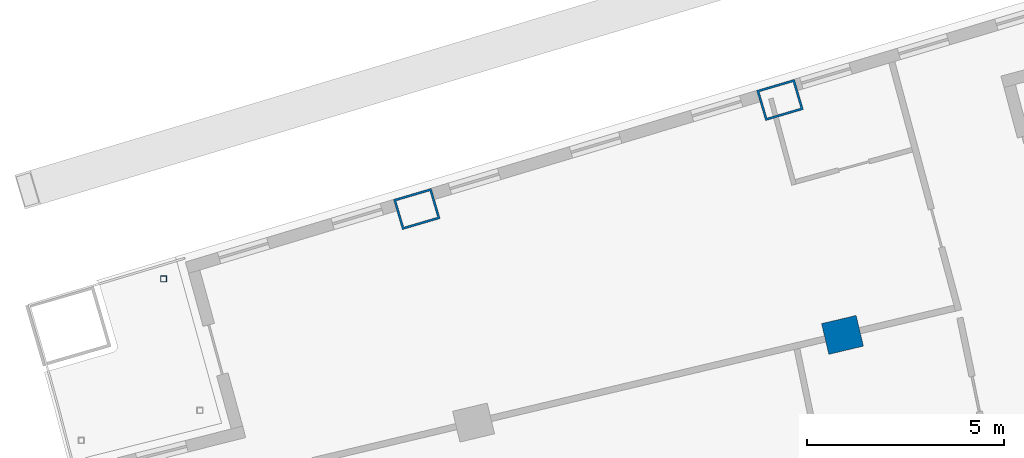
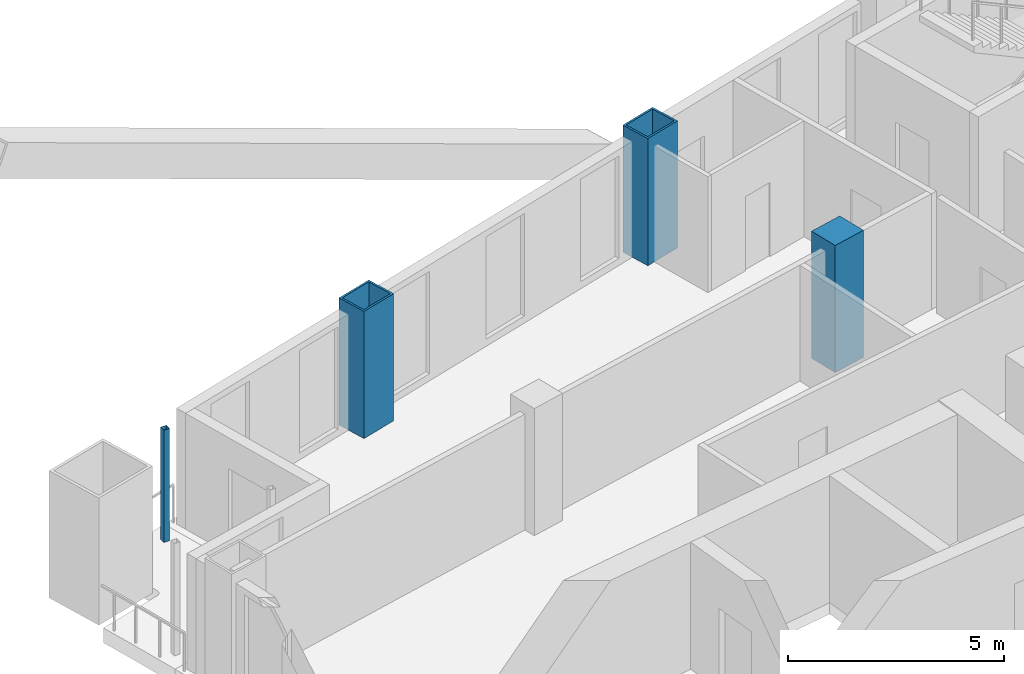
# One storey, part 7 of 19: 4 columns.
"""IFC4 building model written with IfcOpenShell, lengths in metres."""

from ifc_helpers import new_model, si_unit, direction, frame, origin, origin_2d, place, context, subcontext, project, spatial, rectangle, hollow_rectangle, extrude, material, material_profile, profile_set, type_object, element, save


model = new_model("IFC4")

# Units and contexts
model_context = context("Model", 3, precision=1e-05, world=origin(), true_north=direction((0.0, 1.0)))
body_context = subcontext(model_context, "Body", "Model", "MODEL_VIEW")
ifc_project = project(units=[si_unit("LENGTHUNIT", "METRE"), si_unit("AREAUNIT", "SQUARE_METRE"), si_unit("VOLUMEUNIT", "CUBIC_METRE"), si_unit("PLANEANGLEUNIT", "RADIAN"), si_unit("MASSUNIT", "GRAM", prefix="KILO")], contexts=[model_context])

# Site, building, storey
site_placement = place(None, origin())
site = spatial("IfcSite", under=ifc_project, at=site_placement, CompositionType="ELEMENT")
building_placement = place(site_placement, origin())
building = spatial("IfcBuilding", under=site, at=building_placement, Name="Alderwake Tower", CompositionType="ELEMENT")
storey_placement = place(building_placement, frame((0.0, 0.0, 171.199951171875)))
storey = spatial("IfcBuildingStorey", under=building, at=storey_placement, Name="L42", CompositionType="ELEMENT", Elevation=171.199951171875)

# Columns
ifc_material_1 = material(Name="Steel ASTM A572 Grade 50 concrete filled C70/85", Category="concrete")
ifc_material_profile_1 = material_profile(ifc_material_1, hollow_rectangle(XDim=0.800048828125, YDim=1.0, WallThickness=0.054931640625, at=origin_2d()), Name="BOX 1000X800X55")
ifc_profile_set_1 = profile_set([ifc_material_profile_1], Name="Steel ASTM A572 Grade 50 concrete filled C70/85")
column_type_1 = type_object("IfcColumnType", Name="End column Z3", PredefinedType="COLUMN", material=ifc_profile_set_1)
for number, where, z_axis, x_axis, name in (
    (1, (21.885498046875, 90.96240234375, 0.0), (0.0, 0.0, 1.0), (-0.282132160283, 0.95937554906, 0.0), "Column R12-C1"),
    (2, (31.080322265625, 93.72314453125, 0.0), (0.0, 0.0, 1.0), (-0.282582549822, 0.959242984095, 0.0), "Column R12-C2"),
):
    element("IfcColumn", number, at=place(storey_placement, frame(where, z_axis=z_axis, x_axis=x_axis)), inside=storey, type_object=column_type_1, Name=name, PredefinedType="COLUMN", context=body_context, shape_type="SweptSolid", body=[
        extrude(hollow_rectangle(XDim=0.800048828125, YDim=1.0, WallThickness=0.054931640625, at=origin_2d()), origin(), (0.0, 0.0, 1.0), 3.60009765625),
    ])
ifc_material_2 = material(Name="Concrete C70/85", Category="concrete")
ifc_material_profile_2 = material_profile(ifc_material_2, rectangle(XDim=0.800048828125, YDim=0.89990234375, at=origin_2d()), Name="RC 900X800")
ifc_profile_set_2 = profile_set([ifc_material_profile_2], Name="Concrete C70/85")
column_type_2 = type_object("IfcColumnType", Name="Interior column Z3", PredefinedType="COLUMN", material=ifc_profile_set_2)
column_1_placement = place(storey_placement, frame((32.661865234375, 87.775390625, 0.0), z_axis=(0.0, 0.0, 1.0), x_axis=(-0.231221547198, 0.972901123502, 0.0)))
element("IfcColumn", 3, at=column_1_placement, inside=storey, type_object=column_type_2, Name="Column R11-C2", PredefinedType="COLUMN", context=body_context, shape_type="SweptSolid", body=[
    extrude(rectangle(XDim=0.800048828125, YDim=0.89990234375, at=origin_2d()), origin(), (0.0, 0.0, 1.0), 3.60009765625),
])
ifc_material_3 = material(Name="Steel ASTM A500 Grade C", Category="steel")
ifc_material_profile_3 = material_profile(ifc_material_3, hollow_rectangle(XDim=0.15234375, YDim=0.15234375, WallThickness=0.0087890625, at=origin_2d()), Name="HSS6X6X3/8")
ifc_profile_set_3 = profile_set([ifc_material_profile_3], Name="Steel ASTM A500 Grade C")
column_type_3 = type_object("IfcColumnType", Name="Light post HSS6X6X3/8", PredefinedType="COLUMN", material=ifc_profile_set_3)
column_2_placement = place(storey_placement, frame((15.47412109375, 89.194091796875, 0.0), z_axis=(0.0, 0.0, 1.0), x_axis=(1.0, 0.0, 0.0)))
element("IfcColumn", 4, at=column_2_placement, inside=storey, type_object=column_type_3, Name="Terrace post RN2", PredefinedType="COLUMN", context=body_context, shape_type="SweptSolid", body=[
    extrude(hollow_rectangle(XDim=0.15234375, YDim=0.15234375, WallThickness=0.0087890625, at=origin_2d()), origin(), (0.0, 0.0, 1.0), 3.179931640625),
])

save(model, "model.ifc")
